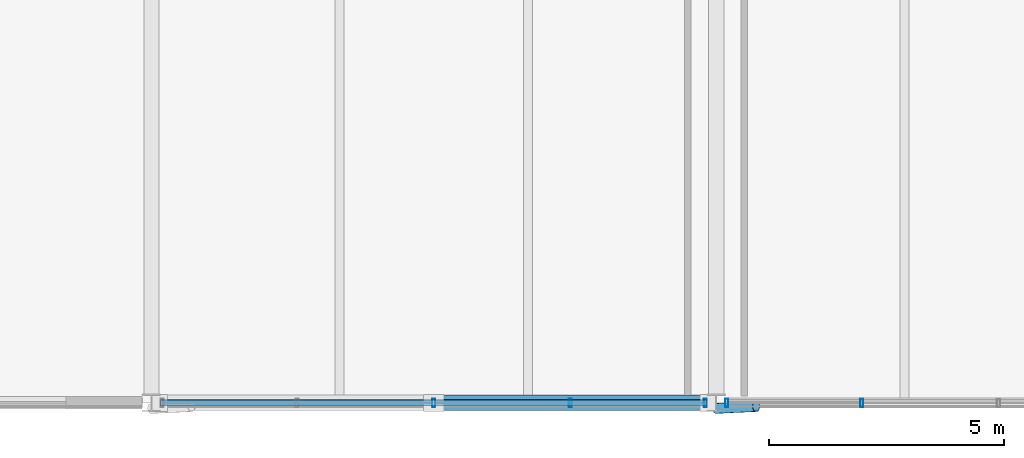
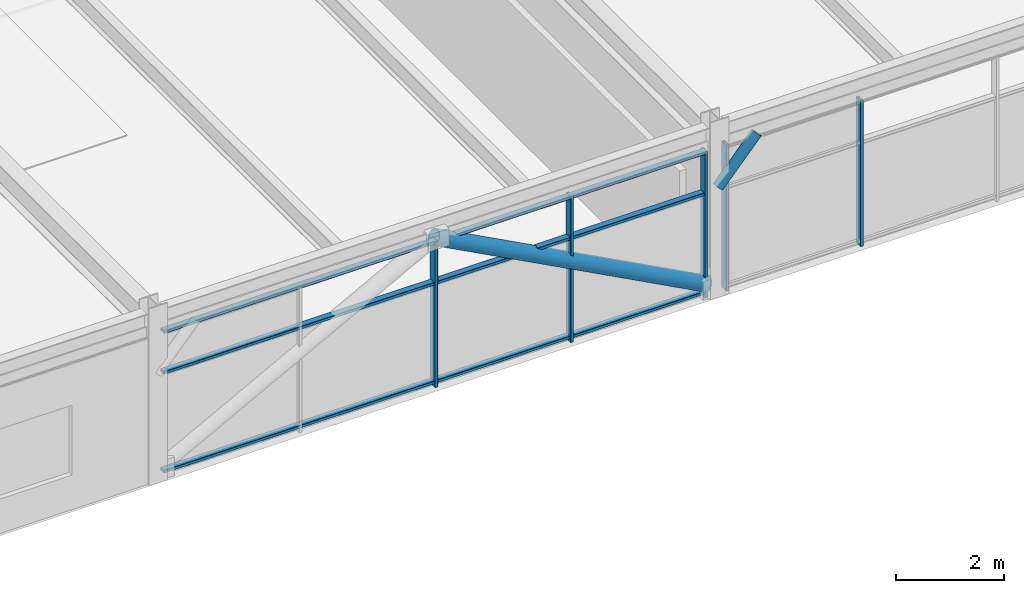
# One storey, part 10 of 49: 10 members, 2 elements without a shape of their own.
"""IFC4 building model written with IfcOpenShell, lengths in metres."""

from ifc_helpers import new_model, si_unit, direction, frame, origin, origin_2d, place, context, subcontext, project, spatial, hollow_rectangle, hollow_circle, extrude, material, material_profile, profile_set, type_object, element, aggregate, save


model = new_model("IFC4")

# Units and contexts
model_context = context("Model", 3, precision=1e-05, world=origin(), true_north=direction((0.0, 1.0)))
body_context = subcontext(model_context, "Body", "Model", "MODEL_VIEW")
ifc_project = project(units=[si_unit("LENGTHUNIT", "METRE"), si_unit("AREAUNIT", "SQUARE_METRE"), si_unit("VOLUMEUNIT", "CUBIC_METRE"), si_unit("PLANEANGLEUNIT", "RADIAN"), si_unit("MASSUNIT", "GRAM", prefix="KILO")], contexts=[model_context])

# Site, building, storey
site_placement = place(None, origin())
site = spatial("IfcSite", under=ifc_project, at=site_placement, CompositionType="ELEMENT")
building_placement = place(site_placement, origin())
building = spatial("IfcBuilding", under=site, at=building_placement, Name="Girod Span Mobility Hub", CompositionType="ELEMENT")
storey_placement = place(building_placement, frame((0.0, 0.0, 37.60009765625)))
storey = spatial("IfcBuildingStorey", under=building, at=storey_placement, Name="L09", CompositionType="ELEMENT", Elevation=37.60009765625)

# Curtain wall, members
ifc_material_1 = material(Name="Thermally Broken Anodised Aluminium", Category="aluminium")
curtain_wall_type = type_object("IfcCurtainWallType", Name="CW-1161X329", PredefinedType="USERDEFINED", material=ifc_material_1)
curtain_wall_1_placement = place(storey_placement, origin())
curtain_wall_1 = element("IfcCurtainWall", 1, at=curtain_wall_1_placement, inside=storey, type_object=curtain_wall_type, Name="Unitised Curtain Wall CW-L09-S04 L09", ObjectType="UNITISED CURTAIN WALL", PredefinedType="USERDEFINED")
ifc_material_2 = material(Name="Thermally Broken Anodised Aluminium", Category="aluminium")
ifc_material_profile_1 = material_profile(ifc_material_2, hollow_rectangle(XDim=0.179931640625, YDim=0.06494140625, WallThickness=0.00390625, InnerFilletRadius=0.00390625, OuterFilletRadius=0.008056640625, at=origin_2d()), Name="CW-ML-65X180")
ifc_profile_set_1 = profile_set([ifc_material_profile_1], Name="Thermally Broken Anodised Aluminium")
member_type_1 = type_object("IfcMemberType", Name="CWM-ML-2", PredefinedType="MULLION", material=ifc_profile_set_1)
member_1_placement = place(storey_placement, frame((42.0, 27.0, 0.0), z_axis=(0.0, 0.0, 1.0), x_axis=(0.0, 1.0, 0.0)))
member_1 = element("IfcMember", 2, at=member_1_placement, type_object=member_type_1, Name="Curtain Wall Mullion CW-L09-S04-M2", PredefinedType="MULLION", context=body_context, shape_type="SweptSolid", body=[
    extrude(hollow_rectangle(XDim=0.179931640625, YDim=0.06494140625, WallThickness=0.00390625, InnerFilletRadius=0.00390625, OuterFilletRadius=0.008056640625, at=origin_2d()), origin(), (0.0, 0.0, 1.0), 3.291015625),
])
member_2_placement = place(storey_placement, frame((44.902587890625, 27.0, 0.0), z_axis=(0.0, 0.0, 1.0), x_axis=(0.0, 1.0, 0.0)))
member_2 = element("IfcMember", 3, at=member_2_placement, type_object=member_type_1, Name="Curtain Wall Mullion CW-L09-S04-M3", PredefinedType="MULLION", context=body_context, shape_type="SweptSolid", body=[
    extrude(hollow_rectangle(XDim=0.179931640625, YDim=0.06494140625, WallThickness=0.00390625, InnerFilletRadius=0.00390625, OuterFilletRadius=0.008056640625, at=origin_2d()), origin(), (0.0, 0.0, 1.0), 3.291015625),
])
member_3_placement = place(storey_placement, frame((47.77294921875, 27.0, 0.0), z_axis=(0.0, 0.0, 1.0), x_axis=(0.0, 1.0, 0.0)))
member_3 = element("IfcMember", 4, at=member_3_placement, type_object=member_type_1, Name="Curtain Wall Mullion CW-L09-S04-M4", PredefinedType="MULLION", context=body_context, shape_type="SweptSolid", body=[
    extrude(hollow_rectangle(XDim=0.179931640625, YDim=0.06494140625, WallThickness=0.00390625, InnerFilletRadius=0.00390625, OuterFilletRadius=0.008056640625, at=origin_2d()), origin(), (0.0, 0.0, 1.0), 3.291015625),
])

curtain_wall_2_placement = place(storey_placement, origin())
curtain_wall_2 = element("IfcCurtainWall", 5, at=curtain_wall_2_placement, inside=storey, type_object=curtain_wall_type, Name="Unitised Curtain Wall CW-L09-S05 L09", ObjectType="UNITISED CURTAIN WALL", PredefinedType="USERDEFINED")
member_4_placement = place(storey_placement, frame((48.22705078125, 27.0, 0.0), z_axis=(0.0, 0.0, 1.0), x_axis=(0.0, 1.0, 0.0)))
member_4 = element("IfcMember", 6, at=member_4_placement, type_object=member_type_1, Name="Curtain Wall Mullion CW-L09-S05-M0", PredefinedType="MULLION", context=body_context, shape_type="SweptSolid", body=[
    extrude(hollow_rectangle(XDim=0.179931640625, YDim=0.06494140625, WallThickness=0.00390625, InnerFilletRadius=0.00390625, OuterFilletRadius=0.008056640625, at=origin_2d()), origin(), (0.0, 0.0, 1.0), 3.291015625),
])
member_5_placement = place(storey_placement, frame((51.097412109375, 27.0, 0.0), z_axis=(0.0, 0.0, 1.0), x_axis=(0.0, 1.0, 0.0)))
member_5 = element("IfcMember", 7, at=member_5_placement, type_object=member_type_1, Name="Curtain Wall Mullion CW-L09-S05-M1", PredefinedType="MULLION", context=body_context, shape_type="SweptSolid", body=[
    extrude(hollow_rectangle(XDim=0.179931640625, YDim=0.06494140625, WallThickness=0.00390625, InnerFilletRadius=0.00390625, OuterFilletRadius=0.008056640625, at=origin_2d()), origin(), (0.0, 0.0, 1.0), 3.291015625),
])
aggregate(curtain_wall_2, [member_4, member_5])

# Member
ifc_material_3 = material(Name="Thermally Broken Anodised Aluminium", Category="aluminium")
ifc_material_profile_2 = material_profile(ifc_material_3, hollow_rectangle(XDim=0.135009765625, YDim=0.06494140625, WallThickness=0.00390625, InnerFilletRadius=0.00390625, OuterFilletRadius=0.008056640625, at=origin_2d()), Name="CW-TR-65X135")
ifc_profile_set_2 = profile_set([ifc_material_profile_2], Name="Thermally Broken Anodised Aluminium")
member_type_2 = type_object("IfcMemberType", Name="CWM-TR-2", PredefinedType="USERDEFINED", material=ifc_profile_set_2)
member_6_placement = place(storey_placement, frame((36.195068359375, 27.0, 0.107421875), z_axis=(1.0, 0.0, 0.0), x_axis=(0.0, 1.0, 0.0)))
member_6 = element("IfcMember", 8, at=member_6_placement, type_object=member_type_2, Name="Curtain Wall Transom CW-L09-S04-T1", ObjectType="TRANSOM", PredefinedType="USERDEFINED", context=body_context, shape_type="SweptSolid", body=[
    extrude(hollow_rectangle(XDim=0.135009765625, YDim=0.06494140625, WallThickness=0.00390625, InnerFilletRadius=0.00390625, OuterFilletRadius=0.008056640625, at=origin_2d()), origin(), (0.0, 0.0, 1.0), 11.60986328125),
])

member_7_placement = place(storey_placement, frame((36.195068359375, 27.0, 2.3369140625), z_axis=(1.0, 0.0, 0.0), x_axis=(0.0, 1.0, 0.0)))
member_7 = element("IfcMember", 9, at=member_7_placement, type_object=member_type_2, Name="Curtain Wall Transom CW-L09-S04-T2", ObjectType="TRANSOM", PredefinedType="USERDEFINED", context=body_context, shape_type="SweptSolid", body=[
    extrude(hollow_rectangle(XDim=0.135009765625, YDim=0.06494140625, WallThickness=0.00390625, InnerFilletRadius=0.00390625, OuterFilletRadius=0.008056640625, at=origin_2d()), origin(), (0.0, 0.0, 1.0), 11.60986328125),
])

member_8_placement = place(storey_placement, frame((36.195068359375, 27.0, 3.25830078125), z_axis=(1.0, 0.0, 0.0), x_axis=(0.0, 1.0, 0.0)))
member_8 = element("IfcMember", 10, at=member_8_placement, type_object=member_type_2, Name="Curtain Wall Transom CW-L09-S04-T3", ObjectType="TRANSOM", PredefinedType="USERDEFINED", context=body_context, shape_type="SweptSolid", body=[
    extrude(hollow_rectangle(XDim=0.135009765625, YDim=0.06494140625, WallThickness=0.00390625, InnerFilletRadius=0.00390625, OuterFilletRadius=0.008056640625, at=origin_2d()), origin(), (0.0, 0.0, 1.0), 11.60986328125),
])

aggregate(curtain_wall_1, [member_1, member_2, member_3, member_6, member_7, member_8])

# Members
ifc_material_4 = material(Name="Steel HSS A500 Grade C", Category="steel")
ifc_material_profile_3 = material_profile(ifc_material_4, hollow_circle(Radius=0.162109375, WallThickness=0.01171875, at=origin_2d()), Name="HSS324X12.7")
ifc_profile_set_3 = profile_set([ifc_material_profile_3], Name="Steel HSS A500 Grade C")
member_type_3 = type_object("IfcMemberType", Name="MB-BR-HSS324", PredefinedType="BRACE", material=ifc_profile_set_3)
member_9_placement = place(storey_placement, frame((47.822998046875, 27.0, 0.25), z_axis=(-0.882652915003, 0.0, 0.470025352122), x_axis=(0.0, -1.0, 0.0)))
element("IfcMember", 11, at=member_9_placement, inside=storey, type_object=member_type_3, Name="Upper Diagrid Brace 4/C-R L09", PredefinedType="BRACE", context=body_context, shape_type="SweptSolid", body=[
    extrude(hollow_circle(Radius=0.162109375, WallThickness=0.01171875, at=origin_2d()), origin(), (0.0, 0.0, 1.0), 6.59716796875),
])
ifc_material_5 = material(Name="Steel HSS A500 Grade C", Category="steel")
ifc_material_profile_4 = material_profile(ifc_material_5, hollow_circle(Radius=0.109619140625, WallThickness=0.0087890625, at=origin_2d()), Name="HSS219X9.5")
ifc_profile_set_4 = profile_set([ifc_material_profile_4], Name="Steel HSS A500 Grade C")
member_type_4 = type_object("IfcMemberType", Name="MB-ST-HSS219", PredefinedType="STRUT", material=ifc_profile_set_4)
member_10_placement = place(storey_placement, frame((48.0, 26.8798828125, 2.449951171875), z_axis=(0.684284972261, 0.032229389848, 0.728502122967), x_axis=(-0.047047213483, 0.998892666758, 0.0)))
element("IfcMember", 12, at=member_10_placement, inside=storey, type_object=member_type_4, Name="Solar Shading Knee Strut 5 L09", PredefinedType="STRUT", context=body_context, shape_type="SweptSolid", body=[
    extrude(hollow_circle(Radius=0.109619140625, WallThickness=0.0087890625, at=origin_2d()), origin(), (0.0, 0.0, 1.0), 1.242431640625),
])

save(model, "model.ifc")
